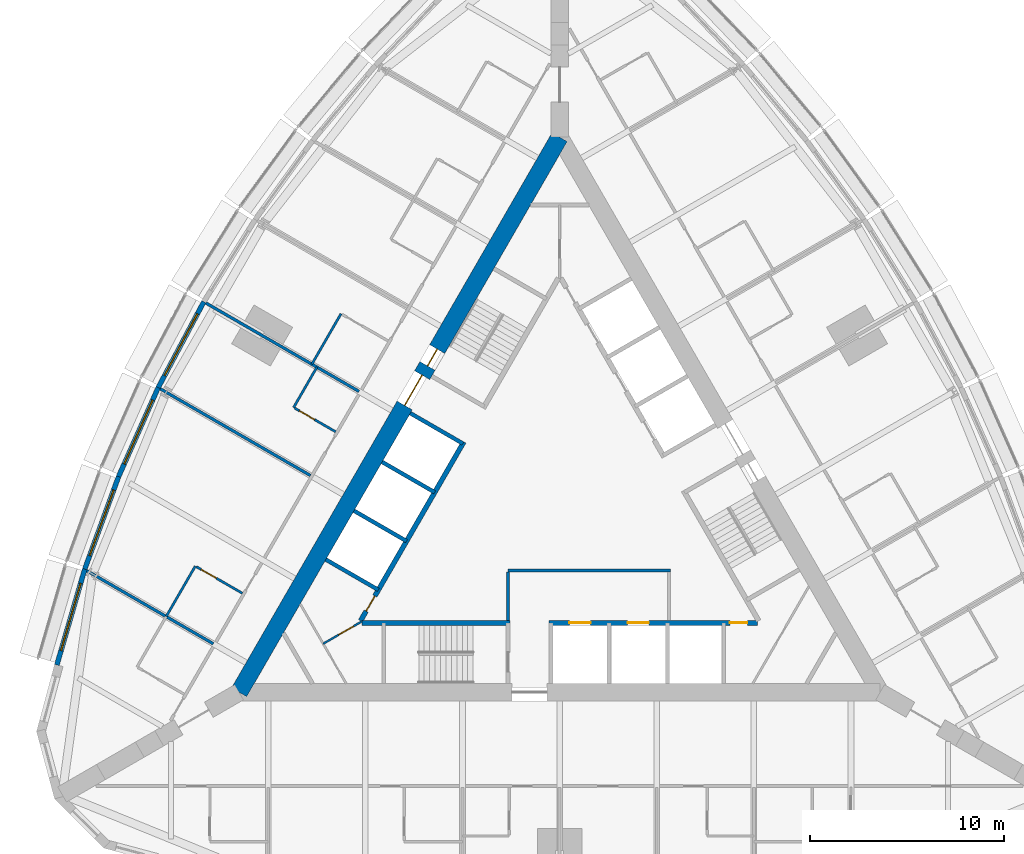
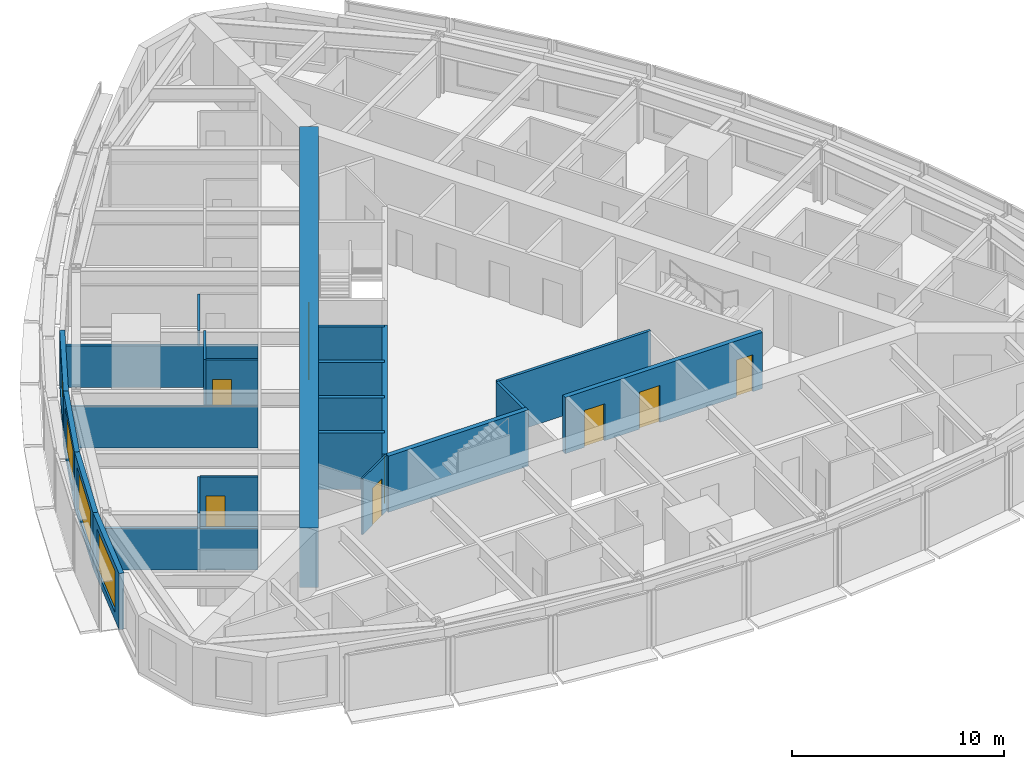
# One storey, part 9 of 14: 23 walls, 9 doors, 4 windows, 13 openings.
"""IFC4 building model written with IfcOpenShell, lengths in metres."""

import ifcopenshell
import ifcopenshell.guid

model = None  # the IFC model being written
_history = None  # IfcOwnerHistory: only IFC2X3 demands one
_inside = {}  # id of a spatial element -> (the spatial element, [elements in it])
_under = {}  # id of a project, library or spatial element -> (it, [spatial elements below it])
_declared = {}  # id of a project -> (the project, [libraries it declares])
_typed = {}  # id of a type object -> (the type object, [elements of that type])
_made_of = {}  # id of a material, layer set ... -> (it, [elements and type objects made of it])


def new_model(schema):
    """Start an empty IFC model of exactly this schema.

    Asked for "IFC4X3", IfcOpenShell would pick the latest addendum, in which some entities
    have other attributes; the version numbers below select the first issue.
    IFC2X3 requires an IfcOwnerHistory on every rooted entity: one is made here for all.
    """
    global model, _history
    if schema == "IFC4X3":
        model = ifcopenshell.file(schema_version=(4, 3, 0, 0))
    else:
        model = ifcopenshell.file(schema=schema)
    _inside.clear()
    _under.clear()
    _declared.clear()
    _typed.clear()
    _made_of.clear()
    _history = None
    if model.schema == "IFC2X3":
        org = make("IfcOrganization", Name="unknown")
        user = make(
            "IfcPersonAndOrganization",
            ThePerson=make("IfcPerson", FamilyName="unknown"),
            TheOrganization=org,
        )
        app = make(
            "IfcApplication",
            ApplicationDeveloper=org,
            Version="unknown",
            ApplicationFullName="unknown",
            ApplicationIdentifier="unknown",
        )
        _history = make(
            "IfcOwnerHistory",
            OwningUser=user,
            OwningApplication=app,
            ChangeAction="ADDED",
            CreationDate=0,
        )
    return model


def make(cls, **values):
    """One entity of the class cls with the attributes given. An attribute that is None is left unset."""
    return model.create_entity(
        cls, **{name: value for name, value in values.items() if value is not None}
    )


def rooted(cls, **values):
    """An entity with a GlobalId (a new one), such as an element, a storey or a relation."""
    return make(cls, GlobalId=ifcopenshell.guid.new(), OwnerHistory=_history, **values)


def si_unit(unit_type, name, prefix=None):
    """IfcSIUnit, for example si_unit("LENGTHUNIT", "METRE", prefix="MILLI")."""
    return make("IfcSIUnit", UnitType=unit_type, Prefix=prefix, Name=name)


def assignment(units):
    """IfcUnitAssignment: the units of a project."""
    return None if units is None else make("IfcUnitAssignment", Units=units)


def point(xyz):
    """IfcCartesianPoint."""
    return None if xyz is None else make("IfcCartesianPoint", Coordinates=xyz)


def direction(xyz):
    """IfcDirection."""
    return None if xyz is None else make("IfcDirection", DirectionRatios=xyz)


def frame(location, z_axis=None, x_axis=None):
    """IfcAxis2Placement3D, a coordinate frame: its origin and axes. An axis left out is left unset."""
    return make(
        "IfcAxis2Placement3D",
        Location=point(location),
        Axis=direction(z_axis),
        RefDirection=direction(x_axis),
    )


def frame_2d(location, x_axis=None):
    """IfcAxis2Placement2D, a coordinate frame in the plane: its origin and x axis."""
    return make(
        "IfcAxis2Placement2D", Location=point(location), RefDirection=direction(x_axis)
    )


def origin():
    """The frame at (0, 0, 0) with its axes left unset."""
    return frame((0.0, 0.0, 0.0))


def place(relative_to, where):
    """IfcLocalPlacement: puts the frame where relative to a parent placement (None: the world)."""
    return make(
        "IfcLocalPlacement", PlacementRelTo=relative_to, RelativePlacement=where
    )


def context(
    kind, dimensions, precision=None, world=None, true_north=None, identifier=None
):
    """IfcGeometricRepresentationContext, for example the 3D "Model" context."""
    return make(
        "IfcGeometricRepresentationContext",
        ContextIdentifier=identifier,
        ContextType=kind,
        CoordinateSpaceDimension=dimensions,
        Precision=precision,
        WorldCoordinateSystem=world,
        TrueNorth=true_north,
    )


def subcontext(parent, identifier, kind, view, scale=None):
    """IfcGeometricRepresentationSubContext, for example "Body" below "Model"."""
    return make(
        "IfcGeometricRepresentationSubContext",
        ContextIdentifier=identifier,
        ContextType=kind,
        ParentContext=parent,
        TargetScale=scale,
        TargetView=view,
    )


def project(units=None, contexts=None):
    """IfcProject with its units and contexts."""
    return rooted(
        "IfcProject",
        Name="project",
        RepresentationContexts=contexts,
        UnitsInContext=assignment(units),
    )


def spatial(cls, under=None, at=None, **own):
    """A site, building, storey or space (cls), placed at a placement, below another one or the project."""
    s = rooted(cls, ObjectPlacement=at, **own)
    if under is not None:
        _under.setdefault(under.id(), (under, []))[1].append(s)
    return s


def profile(cls, at=None, kind="AREA", **sizes):
    """A parametric profile (cls). Its sizes go by their IFC names, for example OverallWidth=200.0."""
    return make(cls, ProfileType=kind, Position=at, **sizes)


def rectangle(**sizes):
    """IfcRectangleProfileDef."""
    return profile("IfcRectangleProfileDef", **sizes)


def extrude(swept, where, along, depth):
    """IfcExtrudedAreaSolid: the profile swept, set in the frame where, extruded along a direction by depth."""
    return make(
        "IfcExtrudedAreaSolid",
        SweptArea=swept,
        Position=where,
        ExtrudedDirection=direction(along),
        Depth=depth,
    )


def shape(context_of_items, identifier, shape_type, items):
    """IfcShapeRepresentation: the items that make up one representation, for example the "Body"."""
    return make(
        "IfcShapeRepresentation",
        ContextOfItems=context_of_items,
        RepresentationIdentifier=identifier,
        RepresentationType=shape_type,
        Items=items,
    )


def material(Name=None, Category=None):
    """IfcMaterial."""
    return make("IfcMaterial", Name=Name, Category=Category)


def layer(
    of_material, thickness, ventilated=None, Name=None, Category=None, Priority=None
):
    """IfcMaterialLayer: one layer of a wall or slab, of a material (None: an air gap)."""
    return make(
        "IfcMaterialLayer",
        Material=of_material,
        LayerThickness=thickness,
        IsVentilated=ventilated,
        Name=Name,
        Category=Category,
        Priority=Priority,
    )


def layer_set(layers, Name=None):
    """IfcMaterialLayerSet."""
    return make("IfcMaterialLayerSet", MaterialLayers=layers, LayerSetName=Name)


def made_of(thing, what):
    """Note that an element or type object is made of a material, layer set ...; save() writes the relation."""
    if what is not None:
        _made_of.setdefault(what.id(), (what, []))[1].append(thing)
    return thing


def type_object(cls, material=None, **own):
    """A type object (cls), such as IfcWallType, which elements share."""
    return made_of(rooted(cls, **own), material)


def element(
    cls,
    number,
    at=None,
    inside=None,
    cuts=None,
    type_object=None,
    material=None,
    context=None,
    identifier="Body",
    shape_type=None,
    held_by="IfcProductDefinitionShape",
    body=None,
    shapes=None,
    **own,
):
    """One element of the class cls, such as IfcWall. Its Tag is "e" and its number.

    at: its placement. inside: the storey or other place that contains it. cuts: it is an
    opening in that element (IfcRelVoidsElement). A single representation is given by context,
    identifier, shape_type and body (its items); several are given by shapes. held_by: the class
    of the entity that holds the representations. save() writes the other relations.
    """
    e = rooted(cls, Tag="e%d" % number, ObjectPlacement=at, **own)
    if body is not None:
        shapes = [shape(context, identifier, shape_type, body)]
    if shapes is not None:
        e.Representation = make(held_by, Representations=shapes)
    if inside is not None:
        _inside.setdefault(inside.id(), (inside, []))[1].append(e)
    if cuts is not None:
        rooted(
            "IfcRelVoidsElement", RelatingBuildingElement=cuts, RelatedOpeningElement=e
        )
    if type_object is not None:
        _typed.setdefault(type_object.id(), (type_object, []))[1].append(e)
    return made_of(e, material)


def fill(opening, filler):
    """IfcRelFillsElement: the door or window that sits in an opening."""
    return rooted(
        "IfcRelFillsElement",
        RelatingOpeningElement=opening,
        RelatedBuildingElement=filler,
    )


def aggregate(whole, parts):
    """IfcRelAggregates: a whole, such as a stair, and the parts it consists of."""
    return rooted("IfcRelAggregates", RelatingObject=whole, RelatedObjects=parts)


def save(model, path):
    """Write the relations noted so far, then the file.

    IfcRelAggregates (storeys below a building ...), IfcRelContainedInSpatialStructure (elements
    in a storey), IfcRelDefinesByType, IfcRelAssociatesMaterial and IfcRelDeclares: one each for
    every whole, place, type object, material and project.
    """
    for whole, parts in _under.values():
        aggregate(whole, parts)
    for where, things in _inside.values():
        rooted(
            "IfcRelContainedInSpatialStructure",
            RelatedElements=things,
            RelatingStructure=where,
        )
    for kind, things in _typed.values():
        rooted("IfcRelDefinesByType", RelatedObjects=things, RelatingType=kind)
    for what, things in _made_of.values():
        rooted("IfcRelAssociatesMaterial", RelatedObjects=things, RelatingMaterial=what)
    for by, libraries in _declared.values():
        rooted("IfcRelDeclares", RelatingContext=by, RelatedDefinitions=libraries)
    model.write(path)


model = new_model("IFC4")

# Units and contexts
model_context = context("Model", 3, precision=1e-05, world=origin(), true_north=direction((0.0, 1.0)))
body_context = subcontext(model_context, "Body", "Model", "MODEL_VIEW")
ifc_project = project(units=[si_unit("LENGTHUNIT", "METRE"), si_unit("AREAUNIT", "SQUARE_METRE"), si_unit("VOLUMEUNIT", "CUBIC_METRE"), si_unit("PLANEANGLEUNIT", "RADIAN"), si_unit("MASSUNIT", "GRAM", prefix="KILO")], contexts=[model_context])

# Site, building, storey
site_placement = place(None, origin())
site = spatial("IfcSite", under=ifc_project, at=site_placement, CompositionType="ELEMENT")
building_placement = place(site_placement, origin())
building = spatial("IfcBuilding", under=site, at=building_placement, Name="Trikona Tower", CompositionType="ELEMENT")
storey_placement = place(building_placement, frame((0.0, 0.0, 128.300048828125)))
storey = spatial("IfcBuildingStorey", under=building, at=storey_placement, Name="L33", CompositionType="ELEMENT", Elevation=128.300048828125)

# Walls
ifc_material_1 = material(Name="Metal stud and cement board", Category="gypsum")
ifc_layer_1 = layer(ifc_material_1, 0.1201171875)
ifc_layer_set_1 = layer_set([ifc_layer_1], Name="Bathroom wall 120")
wall_type_1 = type_object("IfcWallType", Name="Bathroom wall 120", PredefinedType="PLUMBINGWALL", material=ifc_layer_set_1)
wall_1_placement = place(storey_placement, frame((-11.25341796875, 9.961181640625, 0.0), z_axis=(0.0, 0.0, 1.0), x_axis=(-0.499990139034, -0.866031096941, 0.0)))
element("IfcWall", 1, at=wall_1_placement, inside=storey, type_object=wall_type_1, Name="Bathroom wall 3315", PredefinedType="PLUMBINGWALL", context=body_context, shape_type="SweptSolid", body=[
    extrude(rectangle(XDim=3.0, YDim=0.1201171875, at=frame_2d((1.5, 0.0))), origin(), (0.0, 0.0, 1.0), 3.23486328125),
])
wall_2_placement = place(storey_placement, frame((-12.493408203125, 7.213134765625, 0.0), z_axis=(0.0, 0.0, 1.0), x_axis=(-0.500077600433, -0.865980596518, 0.0)))
element("IfcWall", 2, at=wall_2_placement, inside=storey, type_object=wall_type_1, Name="Bathroom wall 3316", PredefinedType="PLUMBINGWALL", context=body_context, shape_type="SweptSolid", body=[
    extrude(rectangle(XDim=2.39990234375, YDim=0.1201171875, at=frame_2d((1.199951171875, 0.0))), origin(), (0.0, 0.0, 1.0), 3.23486328125),
])

# Wall, opening, door
wall_3_placement = place(storey_placement, frame((-11.528564453125, 3.884765625, 0.0), z_axis=(0.0, 0.0, 1.0), x_axis=(-0.866023955769, 0.500002508028, 0.0)))
wall_3 = element("IfcWall", 3, at=wall_3_placement, inside=storey, type_object=wall_type_1, Name="Bathroom wall 3316", PredefinedType="PLUMBINGWALL", context=body_context, shape_type="SweptSolid", body=[
    extrude(rectangle(XDim=2.43994140625, YDim=0.1201171875, at=frame_2d((1.219970703125, 0.0))), origin(), (0.0, 0.0, 1.0), 3.23486328125),
])
opening_1_placement = place(wall_3_placement, frame((1.25, 0.0, 0.0)))
opening_1 = element("IfcOpeningElement", 4, at=opening_1_placement, cuts=wall_3, Name="Opening D2", PredefinedType="OPENING", context=body_context, shape_type="SweptSolid", body=[
    extrude(rectangle(XDim=0.89990234375, YDim=2.1298828125, at=frame_2d((0.449951171875, 1.06494140625))), frame((0.0, 0.070068359375, 0.0), z_axis=(0.0, -1.0, 0.0), x_axis=(1.0, 0.0, 0.0)), (0.0, 0.0, 1.0), 0.14013671875),
])
ifc_material_2 = material(Name="Steel door frame with solid-core timber leaf", Category="steel")
door_type_1 = type_object("IfcDoorType", Name="Bathroom door 900x2130", OperationType="SLIDING_TO_LEFT", PredefinedType="DOOR", material=ifc_material_2)
door_1_placement = place(opening_1_placement, origin())
door_1 = element("IfcDoor", 5, at=door_1_placement, inside=storey, type_object=door_type_1, Name="Bathroom door 3316", OperationType="SLIDING_TO_LEFT", OverallHeight=2.1298828125, OverallWidth=0.89990234375, PredefinedType="DOOR", context=body_context, shape_type="SweptSolid", body=[
    extrude(rectangle(XDim=0.89990234375, YDim=2.1298828125, at=frame_2d((0.449951171875, 1.06494140625))), frame((0.0, 0.02490234375, 0.0), z_axis=(0.0, -1.0, 0.0), x_axis=(1.0, 0.0, 0.0)), (0.0, 0.0, 1.0), 0.050048828125),
])
fill(opening_1, door_1)

# Wall
wall_4_placement = place(storey_placement, frame((-18.75341796875, -3.029296875, 0.0), z_axis=(0.0, 0.0, 1.0), x_axis=(-0.50002537861, -0.866010750942, 0.0)))
element("IfcWall", 6, at=wall_4_placement, inside=storey, type_object=wall_type_1, Name="Bathroom wall 3317", PredefinedType="PLUMBINGWALL", context=body_context, shape_type="SweptSolid", body=[
    extrude(rectangle(XDim=2.999755859375, YDim=0.1201171875, at=frame_2d((1.5, 0.0))), origin(), (0.0, 0.0, 1.0), 3.23486328125),
])

# Wall, opening, door
wall_5_placement = place(storey_placement, frame((-16.32861328125, -4.42919921875, 0.0), z_axis=(0.0, 0.0, 1.0), x_axis=(-0.865997131366, 0.500048966069, 0.0)))
wall_5 = element("IfcWall", 7, at=wall_5_placement, inside=storey, type_object=wall_type_1, Name="Bathroom wall 3317", PredefinedType="PLUMBINGWALL", context=body_context, shape_type="SweptSolid", body=[
    extrude(rectangle(XDim=2.739990234375, YDim=0.1201171875, at=frame_2d((1.3701171875, 0.0))), origin(), (0.0, 0.0, 1.0), 3.23486328125),
])
opening_2_placement = place(wall_5_placement, frame((1.550048828125, 0.0, 0.0)))
opening_2 = element("IfcOpeningElement", 8, at=opening_2_placement, cuts=wall_5, Name="Opening D2", PredefinedType="OPENING", context=body_context, shape_type="SweptSolid", body=[
    extrude(rectangle(XDim=0.89990234375, YDim=2.1298828125, at=frame_2d((0.449951171875, 1.06494140625))), frame((0.0, 0.070068359375, 0.0), z_axis=(0.0, -1.0, 0.0), x_axis=(1.0, 0.0, 0.0)), (0.0, 0.0, 1.0), 0.14013671875),
])
door_2_placement = place(opening_2_placement, origin())
door_2 = element("IfcDoor", 9, at=door_2_placement, inside=storey, type_object=door_type_1, Name="Bathroom door 3317", OperationType="SLIDING_TO_LEFT", OverallHeight=2.1298828125, OverallWidth=0.89990234375, PredefinedType="DOOR", context=body_context, shape_type="SweptSolid", body=[
    extrude(rectangle(XDim=0.89990234375, YDim=2.1298828125, at=frame_2d((0.449951171875, 1.06494140625))), frame((0.0, 0.02490234375, 0.0), z_axis=(0.0, -1.0, 0.0), x_axis=(1.0, 0.0, 0.0)), (0.0, 0.0, 1.0), 0.050048828125),
])
fill(opening_2, door_2)

# Wall, openings, doors
ifc_material_3 = material(Name="Concrete f'c 10000 psi", Category="concrete")
ifc_layer_2 = layer(ifc_material_3, 0.89990234375)
ifc_layer_set_2 = layer_set([ifc_layer_2], Name="Core wall 900")
wall_type_2 = type_object("IfcWallType", Name="Core wall 900", PredefinedType="SHEAR", material=ifc_layer_set_2)
wall_6_placement = place(storey_placement, frame((0.0, 19.052490234375, 0.0), z_axis=(0.0, 0.0, 1.0), x_axis=(-0.499999749417, -0.866025548458, 0.0)))
wall_6 = element("IfcWall", 10, at=wall_6_placement, inside=storey, type_object=wall_type_2, Name="Core wall C", PredefinedType="SHEAR", context=body_context, shape_type="SweptSolid", body=[
    extrude(rectangle(XDim=33.0, YDim=0.89990234375, at=frame_2d((16.5, 0.0))), origin(), (0.0, 0.0, 1.0), 3.39990234375),
])
opening_3_placement = place(wall_6_placement, frame((14.14990234375, 0.0, 0.0)))
opening_3 = element("IfcOpeningElement", 11, at=opening_3_placement, cuts=wall_6, Name="Opening D6", PredefinedType="OPENING", context=body_context, shape_type="SweptSolid", body=[
    extrude(rectangle(XDim=1.800048828125, YDim=2.1298828125, at=frame_2d((0.89990234375, 1.06494140625))), frame((0.0, 0.4599609375, 0.0), z_axis=(0.0, -1.0, 0.0), x_axis=(1.0, 0.0, 0.0)), (0.0, 0.0, 1.0), 0.919921875),
])
opening_4_placement = place(wall_6_placement, frame((12.60009765625, 0.0, 0.0)))
opening_4 = element("IfcOpeningElement", 12, at=opening_4_placement, cuts=wall_6, Name="Opening D5", PredefinedType="OPENING", context=body_context, shape_type="SweptSolid", body=[
    extrude(rectangle(XDim=1.0, YDim=2.1298828125, at=frame_2d((0.5, 1.06494140625))), frame((0.0, 0.4599609375, 0.0), z_axis=(0.0, -1.0, 0.0), x_axis=(1.0, 0.0, 0.0)), (0.0, 0.0, 1.0), 0.919921875),
])
ifc_material_4 = material(Name="Hollow metal door and frame", Category="steel")
door_type_2 = type_object("IfcDoorType", Name="Lobby door pair 1800x2130", OperationType="DOUBLE_DOOR_SINGLE_SWING", PredefinedType="DOOR", material=ifc_material_4)
door_3_placement = place(opening_3_placement, origin())
door_3 = element("IfcDoor", 13, at=door_3_placement, inside=storey, type_object=door_type_2, Name="Lift lobby door C", OperationType="DOUBLE_DOOR_SINGLE_SWING", OverallHeight=2.1298828125, OverallWidth=1.800048828125, PredefinedType="DOOR", context=body_context, shape_type="SweptSolid", body=[
    extrude(rectangle(XDim=1.800048828125, YDim=2.1298828125, at=frame_2d((0.89990234375, 1.06494140625))), frame((0.0, 0.02490234375, 0.0), z_axis=(0.0, -1.0, 0.0), x_axis=(1.0, 0.0, 0.0)), (0.0, 0.0, 1.0), 0.050048828125),
])
fill(opening_3, door_3)
ifc_material_5 = material(Name="Hollow metal door and frame", Category="steel")
door_type_3 = type_object("IfcDoorType", Name="Stair door 1000x2130", OperationType="SINGLE_SWING_LEFT", PredefinedType="DOOR", material=ifc_material_5)
door_4_placement = place(opening_4_placement, origin())
door_4 = element("IfcDoor", 14, at=door_4_placement, inside=storey, type_object=door_type_3, Name="Stair C door", OperationType="SINGLE_SWING_RIGHT", OverallHeight=2.1298828125, OverallWidth=1.0, PredefinedType="DOOR", context=body_context, shape_type="SweptSolid", body=[
    extrude(rectangle(XDim=1.0, YDim=2.1298828125, at=frame_2d((0.5, 1.06494140625))), frame((0.0, 0.02490234375, 0.0), z_axis=(0.0, -1.0, 0.0), x_axis=(1.0, 0.0, 0.0)), (0.0, 0.0, 1.0), 0.050048828125),
])
fill(opening_4, door_4)

# Wall
ifc_material_6 = material(Name="Concrete f'c 8000 psi", Category="concrete")
ifc_layer_3 = layer(ifc_material_6, 0.25)
ifc_layer_set_3 = layer_set([ifc_layer_3], Name="Hub wall 250")
wall_type_3 = type_object("IfcWallType", Name="Hub wall 250", PredefinedType="SOLIDWALL", material=ifc_layer_set_3)
wall_7_placement = place(storey_placement, frame((-10.182861328125, -5.951416015625, 0.0), z_axis=(0.0, 0.0, 1.0), x_axis=(1.0, 0.0, 0.0)))
element("IfcWall", 15, at=wall_7_placement, inside=storey, type_object=wall_type_3, Name="Lift lobby wall A1", PredefinedType="SOLIDWALL", context=body_context, shape_type="SweptSolid", body=[
    extrude(rectangle(XDim=7.6328125, YDim=0.25, at=frame_2d((3.81640625, 0.0))), origin(), (0.0, 0.0, 1.0), 3.23486328125),
])

# Wall, openings, doors
wall_8_placement = place(storey_placement, frame((-0.550048828125, -5.951416015625, 0.0), z_axis=(0.0, 0.0, 1.0), x_axis=(1.0, 0.0, 0.0)))
wall_8 = element("IfcWall", 16, at=wall_8_placement, inside=storey, type_object=wall_type_3, Name="Lift lobby wall A2", PredefinedType="SOLIDWALL", context=body_context, shape_type="SweptSolid", body=[
    extrude(rectangle(XDim=10.73291015625, YDim=0.25, at=frame_2d((5.366455078125, 0.0))), origin(), (0.0, 0.0, 1.0), 3.23486328125),
])
opening_5_placement = place(wall_8_placement, frame((9.31396484375, 0.0, 0.0)))
opening_5 = element("IfcOpeningElement", 17, at=opening_5_placement, cuts=wall_8, Name="Opening D14", PredefinedType="OPENING", context=body_context, shape_type="SweptSolid", body=[
    extrude(rectangle(XDim=0.89990234375, YDim=2.1298828125, at=frame_2d((0.449951171875, 1.06494140625))), frame((0.0, 0.135009765625, 0.0), z_axis=(0.0, -1.0, 0.0), x_axis=(1.0, 0.0, 0.0)), (0.0, 0.0, 1.0), 0.27001953125),
])
opening_6_placement = place(wall_8_placement, frame((1.050048828125, 0.0, 0.0)))
opening_6 = element("IfcOpeningElement", 18, at=opening_6_placement, cuts=wall_8, Name="Opening LD", PredefinedType="OPENING", context=body_context, shape_type="SweptSolid", body=[
    extrude(rectangle(XDim=1.10009765625, YDim=2.1298828125, at=frame_2d((0.550048828125, 1.06494140625))), frame((0.0, 0.135009765625, 0.0), z_axis=(0.0, -1.0, 0.0), x_axis=(1.0, 0.0, 0.0)), (0.0, 0.0, 1.0), 0.27001953125),
])
opening_7_placement = place(wall_8_placement, frame((4.050048828125, 0.0, 0.0)))
opening_7 = element("IfcOpeningElement", 19, at=opening_7_placement, cuts=wall_8, Name="Opening LD", PredefinedType="OPENING", context=body_context, shape_type="SweptSolid", body=[
    extrude(rectangle(XDim=1.10009765625, YDim=2.1298828125, at=frame_2d((0.550048828125, 1.06494140625))), frame((0.0, 0.135009765625, 0.0), z_axis=(0.0, -1.0, 0.0), x_axis=(1.0, 0.0, 0.0)), (0.0, 0.0, 1.0), 0.27001953125),
])
ifc_material_7 = material(Name="Stainless steel lift landing door", Category="steel")
door_type_4 = type_object("IfcDoorType", Name="Lift landing door 1100x2130", OperationType="DOUBLE_DOOR_SLIDING", PredefinedType="USERDEFINED", material=ifc_material_7)
door_5_placement = place(opening_6_placement, origin())
door_5 = element("IfcDoor", 20, at=door_5_placement, inside=storey, type_object=door_type_4, Name="Lift landing door FF1", ObjectType="LIFT LANDING DOOR", OperationType="DOUBLE_DOOR_SLIDING", OverallHeight=2.1298828125, OverallWidth=1.10009765625, PredefinedType="USERDEFINED", context=body_context, shape_type="SweptSolid", body=[
    extrude(rectangle(XDim=1.10009765625, YDim=2.1298828125, at=frame_2d((0.550048828125, 1.06494140625))), frame((0.0, 0.02490234375, 0.0), z_axis=(0.0, -1.0, 0.0), x_axis=(1.0, 0.0, 0.0)), (0.0, 0.0, 1.0), 0.050048828125),
])
fill(opening_6, door_5)
door_6_placement = place(opening_7_placement, origin())
door_6 = element("IfcDoor", 21, at=door_6_placement, inside=storey, type_object=door_type_4, Name="Lift landing door FF2", ObjectType="LIFT LANDING DOOR", OperationType="DOUBLE_DOOR_SLIDING", OverallHeight=2.1298828125, OverallWidth=1.10009765625, PredefinedType="USERDEFINED", context=body_context, shape_type="SweptSolid", body=[
    extrude(rectangle(XDim=1.10009765625, YDim=2.1298828125, at=frame_2d((0.550048828125, 1.06494140625))), frame((0.0, 0.02490234375, 0.0), z_axis=(0.0, -1.0, 0.0), x_axis=(1.0, 0.0, 0.0)), (0.0, 0.0, 1.0), 0.050048828125),
])
fill(opening_7, door_6)
ifc_material_8 = material(Name="Hollow metal door and frame", Category="steel")
door_type_5 = type_object("IfcDoorType", Name="Service room door 900x2130", OperationType="SINGLE_SWING_LEFT", PredefinedType="DOOR", material=ifc_material_8)
door_7_placement = place(opening_5_placement, origin())
door_7 = element("IfcDoor", 22, at=door_7_placement, inside=storey, type_object=door_type_5, Name="Door Linen store LIN", OperationType="SINGLE_SWING_RIGHT", OverallHeight=2.1298828125, OverallWidth=0.89990234375, PredefinedType="DOOR", context=body_context, shape_type="SweptSolid", body=[
    extrude(rectangle(XDim=0.89990234375, YDim=2.1298828125, at=frame_2d((0.449951171875, 1.06494140625))), frame((0.0, 0.02490234375, 0.0), z_axis=(0.0, -1.0, 0.0), x_axis=(1.0, 0.0, 0.0)), (0.0, 0.0, 1.0), 0.050048828125),
])
fill(opening_5, door_7)

# Wall, opening, door
wall_9_placement = place(storey_placement, frame((-4.928955078125, 3.365478515625, 0.0), z_axis=(0.0, 0.0, 1.0), x_axis=(-0.499991433582, -0.866030349552, 0.0)))
wall_9 = element("IfcWall", 23, at=wall_9_placement, inside=storey, type_object=wall_type_3, Name="Lift lobby wall C2", PredefinedType="SOLIDWALL", context=body_context, shape_type="SweptSolid", body=[
    extrude(rectangle(XDim=10.633056640625, YDim=0.25, at=frame_2d((5.31640625, 0.0))), origin(), (0.0, 0.0, 1.0), 3.23486328125),
])
opening_8_placement = place(wall_9_placement, frame((9.1640625, 0.0, 0.0)))
opening_8 = element("IfcOpeningElement", 24, at=opening_8_placement, cuts=wall_9, Name="Opening D14", PredefinedType="OPENING", context=body_context, shape_type="SweptSolid", body=[
    extrude(rectangle(XDim=0.89990234375, YDim=2.1298828125, at=frame_2d((0.449951171875, 1.06494140625))), frame((0.0, 0.135009765625, 0.0), z_axis=(0.0, -1.0, 0.0), x_axis=(1.0, 0.0, 0.0)), (0.0, 0.0, 1.0), 0.27001953125),
])
door_8_placement = place(opening_8_placement, origin())
door_8 = element("IfcDoor", 25, at=door_8_placement, inside=storey, type_object=door_type_5, Name="Door Housekeeping store HKS", OperationType="SINGLE_SWING_RIGHT", OverallHeight=2.1298828125, OverallWidth=0.89990234375, PredefinedType="DOOR", context=body_context, shape_type="SweptSolid", body=[
    extrude(rectangle(XDim=0.89990234375, YDim=2.1298828125, at=frame_2d((0.449951171875, 1.06494140625))), frame((0.0, 0.02490234375, 0.0), z_axis=(0.0, -1.0, 0.0), x_axis=(1.0, 0.0, 0.0)), (0.0, 0.0, 1.0), 0.050048828125),
])
fill(opening_8, door_8)

# Wall, opening, window
ifc_material_9 = material(Name="Insulated precast concrete spandrel panel", Category="concrete")
ifc_layer_4 = layer(ifc_material_9, 0.25)
ifc_layer_set_4 = layer_set([ifc_layer_4], Name="Inner skin wall 250")
wall_type_4 = type_object("IfcWallType", Name="Inner skin wall 250", PredefinedType="STANDARD", material=ifc_layer_set_4)
wall_10_placement = place(storey_placement, frame((-18.314453125, 10.578857421875, 0.0), z_axis=(0.0, 0.0, 1.0), x_axis=(-0.469404966864, -0.882982999317, 0.0)))
wall_10 = element("IfcWall", 26, at=wall_10_placement, inside=storey, type_object=wall_type_4, Name="External wall L33-28", PredefinedType="STANDARD", context=body_context, shape_type="SweptSolid", body=[
    extrude(rectangle(XDim=5.0029296875, YDim=0.25, at=frame_2d((2.50146484375, 0.0))), origin(), (0.0, 0.0, 1.0), 3.23486328125),
])
opening_9_placement = place(wall_10_placement, frame((0.701416015625, 0.0, 0.449951171875)))
opening_9 = element("IfcOpeningElement", 27, at=opening_9_placement, cuts=wall_10, Name="Opening W3624", PredefinedType="OPENING", context=body_context, shape_type="SweptSolid", body=[
    extrude(rectangle(XDim=3.60009765625, YDim=2.39990234375, at=frame_2d((1.800048828125, 1.199951171875))), frame((0.0, 0.135009765625, 0.0), z_axis=(0.0, -1.0, 0.0), x_axis=(1.0, 0.0, 0.0)), (0.0, 0.0, 1.0), 0.27001953125),
])
ifc_material_10 = material(Name="Aluminium-framed double glazing", Category="aluminium")
window_type = type_object("IfcWindowType", Name="Window 3600x2400", PartitioningType="SINGLE_PANEL", PredefinedType="WINDOW", material=ifc_material_10)
window_1_placement = place(opening_9_placement, origin())
window_1 = element("IfcWindow", 28, at=window_1_placement, inside=storey, type_object=window_type, Name="Window 3316", OverallHeight=2.39990234375, OverallWidth=3.60009765625, PartitioningType="SINGLE_PANEL", PredefinedType="WINDOW", context=body_context, shape_type="SweptSolid", body=[
    extrude(rectangle(XDim=3.60009765625, YDim=2.39990234375, at=frame_2d((1.800048828125, 1.199951171875))), frame((0.0, 0.030029296875, 0.0), z_axis=(0.0, -1.0, 0.0), x_axis=(1.0, 0.0, 0.0)), (0.0, 0.0, 1.0), 0.06005859375),
])
fill(opening_9, window_1)

wall_11_placement = place(storey_placement, frame((-20.6591796875, 6.169189453125, 0.0), z_axis=(0.0, 0.0, 1.0), x_axis=(-0.406832200364, -0.913502906808, 0.0)))
wall_11 = element("IfcWall", 29, at=wall_11_placement, inside=storey, type_object=wall_type_4, Name="External wall L33-29", PredefinedType="STANDARD", context=body_context, shape_type="SweptSolid", body=[
    extrude(rectangle(XDim=5.027587890625, YDim=0.25, at=frame_2d((2.513671875, 0.0))), origin(), (0.0, 0.0, 1.0), 3.23486328125),
])
opening_10_placement = place(wall_11_placement, frame((0.713623046875, 0.0, 0.449951171875)))
opening_10 = element("IfcOpeningElement", 30, at=opening_10_placement, cuts=wall_11, Name="Opening W3624", PredefinedType="OPENING", context=body_context, shape_type="SweptSolid", body=[
    extrude(rectangle(XDim=3.60009765625, YDim=2.39990234375, at=frame_2d((1.800048828125, 1.199951171875))), frame((0.0, 0.135009765625, 0.0), z_axis=(0.0, -1.0, 0.0), x_axis=(1.0, 0.0, 0.0)), (0.0, 0.0, 1.0), 0.27001953125),
])
window_2_placement = place(opening_10_placement, origin())
window_2 = element("IfcWindow", 31, at=window_2_placement, inside=storey, type_object=window_type, Name="Window 3317", OverallHeight=2.39990234375, OverallWidth=3.60009765625, PartitioningType="SINGLE_PANEL", PredefinedType="WINDOW", context=body_context, shape_type="SweptSolid", body=[
    extrude(rectangle(XDim=3.60009765625, YDim=2.39990234375, at=frame_2d((1.800048828125, 1.199951171875))), frame((0.0, 0.030029296875, 0.0), z_axis=(0.0, -1.0, 0.0), x_axis=(1.0, 0.0, 0.0)), (0.0, 0.0, 1.0), 0.06005859375),
])
fill(opening_10, window_2)

wall_12_placement = place(storey_placement, frame((-22.701416015625, 1.58447265625, 0.0), z_axis=(0.0, 0.0, 1.0), x_axis=(-0.343225593282, -0.939252996863, 0.0)))
wall_12 = element("IfcWall", 32, at=wall_12_placement, inside=storey, type_object=wall_type_4, Name="External wall L33-30", PredefinedType="STANDARD", context=body_context, shape_type="SweptSolid", body=[
    extrude(rectangle(XDim=5.075927734375, YDim=0.25, at=frame_2d((2.5380859375, 0.0))), origin(), (0.0, 0.0, 1.0), 3.23486328125),
])
opening_11_placement = place(wall_12_placement, frame((0.738037109375, 0.0, 0.449951171875)))
opening_11 = element("IfcOpeningElement", 33, at=opening_11_placement, cuts=wall_12, Name="Opening W3624", PredefinedType="OPENING", context=body_context, shape_type="SweptSolid", body=[
    extrude(rectangle(XDim=3.60009765625, YDim=2.39990234375, at=frame_2d((1.800048828125, 1.199951171875))), frame((0.0, 0.135009765625, 0.0), z_axis=(0.0, -1.0, 0.0), x_axis=(1.0, 0.0, 0.0)), (0.0, 0.0, 1.0), 0.27001953125),
])
window_3_placement = place(opening_11_placement, origin())
window_3 = element("IfcWindow", 34, at=window_3_placement, inside=storey, type_object=window_type, Name="Window 3317", OverallHeight=2.39990234375, OverallWidth=3.60009765625, PartitioningType="SINGLE_PANEL", PredefinedType="WINDOW", context=body_context, shape_type="SweptSolid", body=[
    extrude(rectangle(XDim=3.60009765625, YDim=2.39990234375, at=frame_2d((1.800048828125, 1.199951171875))), frame((0.0, 0.030029296875, 0.0), z_axis=(0.0, -1.0, 0.0), x_axis=(1.0, 0.0, 0.0)), (0.0, 0.0, 1.0), 0.06005859375),
])
fill(opening_11, window_3)

wall_13_placement = place(storey_placement, frame((-24.44091796875, -3.17529296875, 0.0), z_axis=(0.0, 0.0, 1.0), x_axis=(-0.279528287117, -0.960137457191, 0.0)))
wall_13 = element("IfcWall", 35, at=wall_13_placement, inside=storey, type_object=wall_type_4, Name="External wall L33-31", PredefinedType="STANDARD", context=body_context, shape_type="SweptSolid", body=[
    extrude(rectangle(XDim=5.14794921875, YDim=0.25, at=frame_2d((2.573974609375, 0.0))), origin(), (0.0, 0.0, 1.0), 3.23486328125),
])
opening_12_placement = place(wall_13_placement, frame((0.77392578125, 0.0, 0.449951171875)))
opening_12 = element("IfcOpeningElement", 36, at=opening_12_placement, cuts=wall_13, Name="Opening W3624", PredefinedType="OPENING", context=body_context, shape_type="SweptSolid", body=[
    extrude(rectangle(XDim=3.60009765625, YDim=2.39990234375, at=frame_2d((1.800048828125, 1.199951171875))), frame((0.0, 0.135009765625, 0.0), z_axis=(0.0, -1.0, 0.0), x_axis=(1.0, 0.0, 0.0)), (0.0, 0.0, 1.0), 0.27001953125),
])
window_4_placement = place(opening_12_placement, origin())
window_4 = element("IfcWindow", 37, at=window_4_placement, inside=storey, type_object=window_type, Name="Window 3318", OverallHeight=2.39990234375, OverallWidth=3.60009765625, PartitioningType="SINGLE_PANEL", PredefinedType="WINDOW", context=body_context, shape_type="SweptSolid", body=[
    extrude(rectangle(XDim=3.60009765625, YDim=2.39990234375, at=frame_2d((1.800048828125, 1.199951171875))), frame((0.0, 0.030029296875, 0.0), z_axis=(0.0, -1.0, 0.0), x_axis=(1.0, 0.0, 0.0)), (0.0, 0.0, 1.0), 0.06005859375),
])
fill(opening_12, window_4)

# Walls
ifc_material_11 = material(Name="Metal stud and gypsum board, 2-hour shaft wall", Category="gypsum")
ifc_layer_5 = layer(ifc_material_11, 0.14990234375)
ifc_layer_set_5 = layer_set([ifc_layer_5], Name="Lobby wall 150")
wall_type_5 = type_object("IfcWallType", Name="Lobby wall 150", PredefinedType="PARTITIONING", material=ifc_layer_set_5)
wall_14_placement = place(storey_placement, frame((-2.64990234375, -3.251220703125, 0.0), z_axis=(0.0, 0.0, 1.0), x_axis=(1.0, 0.0, 0.0)))
element("IfcWall", 38, at=wall_14_placement, inside=storey, type_object=wall_type_5, Name="Fire service lift lobby wall 1", PredefinedType="PARTITIONING", context=body_context, shape_type="SweptSolid", body=[
    extrude(rectangle(XDim=8.349853515625, YDim=0.14990234375, at=frame_2d((4.1748046875, 0.0))), origin(), (0.0, 0.0, 1.0), 3.23486328125),
])
wall_15_placement = place(storey_placement, frame((-2.64990234375, -5.826416015625, 0.0), z_axis=(0.0, 0.0, 1.0), x_axis=(0.0, 1.0, 0.0)))
element("IfcWall", 39, at=wall_15_placement, inside=storey, type_object=wall_type_5, Name="Fire service lift lobby wall 2", PredefinedType="PARTITIONING", context=body_context, shape_type="SweptSolid", body=[
    extrude(rectangle(XDim=2.5, YDim=0.14990234375, at=frame_2d((1.25, 0.0))), origin(), (0.0, 0.0, 1.0), 3.23486328125),
])
ifc_material_12 = material(Name="Metal stud and gypsum board, 1-hour acoustic", Category="gypsum")
ifc_layer_6 = layer(ifc_material_12, 0.14990234375)
ifc_layer_set_6 = layer_set([ifc_layer_6], Name="Party wall 150")
wall_type_6 = type_object("IfcWallType", Name="Party wall 150", PredefinedType="PARTITIONING", material=ifc_layer_set_6)
wall_16_placement = place(storey_placement, frame((-10.32861328125, 5.963134765625, 0.0), z_axis=(0.0, 0.0, 1.0), x_axis=(-0.866025170687, 0.500000403736, 0.0)))
element("IfcWall", 40, at=wall_16_placement, inside=storey, type_object=wall_type_6, Name="Partition L33 F3 u0", PredefinedType="PARTITIONING", context=body_context, shape_type="SweptSolid", body=[
    extrude(rectangle(XDim=9.0986328125, YDim=0.14990234375, at=frame_2d((4.54931640625, 0.0))), origin(), (0.0, 0.0, 1.0), 2.38916015625),
])
wall_17_placement = place(storey_placement, frame((-12.82861328125, 1.633056640625, 0.0), z_axis=(0.0, 0.0, 1.0), x_axis=(-0.866027015393, 0.499997208602, 0.0)))
element("IfcWall", 41, at=wall_17_placement, inside=storey, type_object=wall_type_6, Name="Partition L33 F3 u5", PredefinedType="PARTITIONING", context=body_context, shape_type="SweptSolid", body=[
    extrude(rectangle(XDim=8.92236328125, YDim=0.14990234375, at=frame_2d((4.461181640625, 0.0))), origin(), (0.0, 0.0, 1.0), 2.38916015625),
])
wall_18_placement = place(storey_placement, frame((-17.82861328125, -7.027099609375, 0.0), z_axis=(0.0, 0.0, 1.0), x_axis=(-0.866029804378, 0.499992377871, 0.0)))
element("IfcWall", 42, at=wall_18_placement, inside=storey, type_object=wall_type_6, Name="Partition L33 F3 u15", PredefinedType="PARTITIONING", context=body_context, shape_type="SweptSolid", body=[
    extrude(rectangle(XDim=7.51611328125, YDim=0.14990234375, at=frame_2d((3.758056640625, 0.0))), origin(), (0.0, 0.0, 1.0), 2.38916015625),
])
ifc_material_13 = material(Name="Concrete f'c 8000 psi", Category="concrete")
ifc_layer_7 = layer(ifc_material_13, 0.199951171875)
ifc_layer_set_7 = layer_set([ifc_layer_7], Name="Shaft wall 200")
wall_type_7 = type_object("IfcWallType", Name="Shaft wall 200", PredefinedType="SOLIDWALL", material=ifc_layer_set_7)
for number, where, z_axis, x_axis, name in (
    (43, (-4.97900390625, 3.27880859375, 0.0), (0.0, 0.0, 1.0), (-0.866022959057, 0.500004234368, 0.0), "Shaft wall C3"),
    (44, (-6.428955078125, 0.767333984375, 0.0), (0.0, 0.0, 1.0), (-0.866022959057, 0.500004234368, 0.0), "Shaft wall C4"),
    (45, (-7.87890625, -1.744140625, 0.0), (0.0, 0.0, 1.0), (-0.866022959057, 0.500004234368, 0.0), "Shaft wall C5"),
    (46, (-9.3291015625, -4.255615234375, 0.0), (0.0, 0.0, 1.0), (-0.866022959057, 0.500004234368, 0.0), "Shaft wall C6"),
):
    element("IfcWall", number, at=place(storey_placement, frame(where, z_axis=z_axis, x_axis=x_axis)), inside=storey, type_object=wall_type_7, Name=name, PredefinedType="SOLIDWALL", context=body_context, shape_type="SweptSolid", body=[
        extrude(rectangle(XDim=3.125, YDim=0.199951171875, at=frame_2d((1.5625, 0.0))), origin(), (0.0, 0.0, 1.0), 3.23486328125),
    ])

# Wall, opening, door
ifc_material_14 = material(Name="Metal stud and gypsum board, acoustic", Category="gypsum")
ifc_layer_8 = layer(ifc_material_14, 0.10009765625)
ifc_layer_set_8 = layer_set([ifc_layer_8], Name="Suite partition 100")
wall_type_8 = type_object("IfcWallType", Name="Suite partition 100", PredefinedType="PARTITIONING", material=ifc_layer_set_8)
wall_19_placement = place(storey_placement, frame((-12.169921875, -7.0263671875, 0.0), z_axis=(0.0, 0.0, 1.0), x_axis=(0.866015833478, 0.50001657589, 0.0)))
wall_19 = element("IfcWall", 47, at=wall_19_placement, inside=storey, type_object=wall_type_8, Name="Store partition L33-RS3", PredefinedType="PARTITIONING", context=body_context, shape_type="SweptSolid", body=[
    extrude(rectangle(XDim=2.275390625, YDim=0.10009765625, at=frame_2d((1.1376953125, 0.0))), origin(), (0.0, 0.0, 1.0), 3.23486328125),
])
opening_13_placement = place(wall_19_placement, frame((0.9150390625, 0.0, 0.0)))
opening_13 = element("IfcOpeningElement", 48, at=opening_13_placement, cuts=wall_19, Name="Opening D15", PredefinedType="OPENING", context=body_context, shape_type="SweptSolid", body=[
    extrude(rectangle(XDim=0.89990234375, YDim=2.1298828125, at=frame_2d((0.449951171875, 1.06494140625))), frame((0.0, 0.06005859375, 0.0), z_axis=(0.0, -1.0, 0.0), x_axis=(1.0, 0.0, 0.0)), (0.0, 0.0, 1.0), 0.1201171875),
])
ifc_material_15 = material(Name="Steel door frame with solid-core timber leaf", Category="steel")
door_type_6 = type_object("IfcDoorType", Name="Store door 900x2130", OperationType="SINGLE_SWING_LEFT", PredefinedType="DOOR", material=ifc_material_15)
door_9_placement = place(opening_13_placement, origin())
door_9 = element("IfcDoor", 49, at=door_9_placement, inside=storey, type_object=door_type_6, Name="Door Minibar store MBS", OperationType="SINGLE_SWING_RIGHT", OverallHeight=2.1298828125, OverallWidth=0.89990234375, PredefinedType="DOOR", context=body_context, shape_type="SweptSolid", body=[
    extrude(rectangle(XDim=0.89990234375, YDim=2.1298828125, at=frame_2d((0.449951171875, 1.06494140625))), frame((0.0, 0.02490234375, 0.0), z_axis=(0.0, -1.0, 0.0), x_axis=(1.0, 0.0, 0.0)), (0.0, 0.0, 1.0), 0.050048828125),
])
fill(opening_13, door_9)

save(model, "model.ifc")
